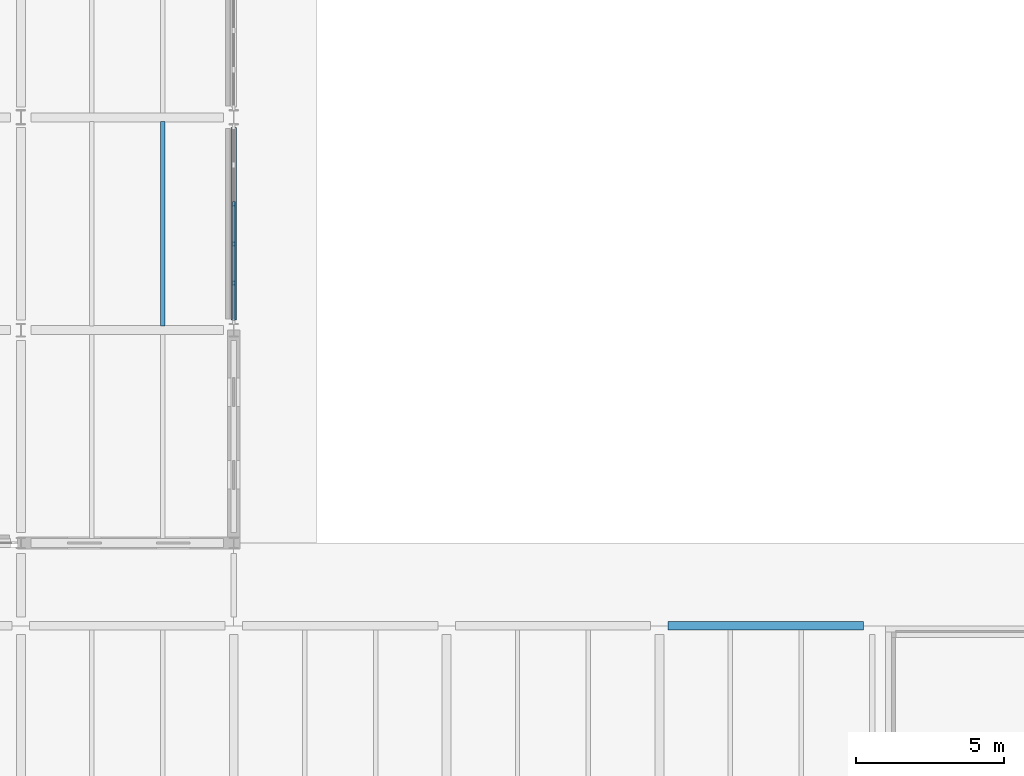
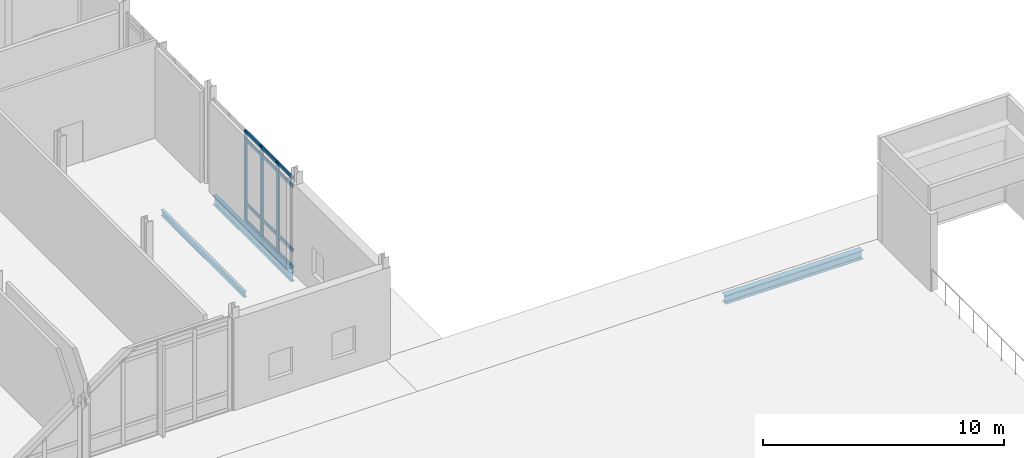
# One storey, part 35 of 89: 15 members, 3 beams, 1 element without a shape of its own.
"""IFC4 building model written with IfcOpenShell, lengths in metres."""

from ifc_helpers import new_model, si_unit, direction, frame, origin, origin_2d, place, context, subcontext, project, spatial, rectangle, i_section, extrude, material, layer, layer_set, material_profile, profile_set, type_object, element, aggregate, save


model = new_model("IFC4")

# Units and contexts
model_context = context("Model", 3, precision=1e-05, world=origin(), true_north=direction((0.0, 1.0)))
body_context = subcontext(model_context, "Body", "Model", "MODEL_VIEW")
ifc_project = project(units=[si_unit("LENGTHUNIT", "METRE"), si_unit("AREAUNIT", "SQUARE_METRE"), si_unit("VOLUMEUNIT", "CUBIC_METRE"), si_unit("PLANEANGLEUNIT", "RADIAN"), si_unit("MASSUNIT", "GRAM", prefix="KILO")], contexts=[model_context])

# Site, building, storey
site_placement = place(None, origin())
site = spatial("IfcSite", under=ifc_project, at=site_placement, CompositionType="ELEMENT")
building_placement = place(site_placement, origin())
building = spatial("IfcBuilding", under=site, at=building_placement, Name="Zarrinpeak Specialist Clinic", CompositionType="ELEMENT")
storey_placement = place(building_placement, origin())
storey = spatial("IfcBuildingStorey", under=building, at=storey_placement, Name="L00", CompositionType="ELEMENT", Elevation=0.0)

# Beams
ifc_material_1 = material(Name="Steel S355", Category="steel")
ifc_material_profile_1 = material_profile(ifc_material_1, i_section(OverallWidth=0.300048828125, OverallDepth=0.43994140625, WebThickness=0.011474609375, FlangeThickness=0.02099609375, FilletRadius=0.027099609375, at=origin_2d()), Name="HEA 450")
ifc_profile_set_1 = profile_set([ifc_material_profile_1], Name="Steel S355")
beam_type_1 = type_object("IfcBeamType", Name="BM-HEA450", PredefinedType="BEAM", material=ifc_profile_set_1)
beam_1_placement = place(storey_placement, frame((79.498046875, 79.199951171875, -0.43994140625), z_axis=(1.0, 0.0, 0.0), x_axis=(0.0, 1.0, 0.0)))
element("IfcBeam", 1, at=beam_1_placement, inside=storey, type_object=beam_type_1, Name="L00 Primary Floor Girder BM-L00-X0184", PredefinedType="BEAM", context=body_context, shape_type="SweptSolid", body=[
    extrude(i_section(OverallWidth=0.300048828125, OverallDepth=0.43994140625, WebThickness=0.011474609375, FlangeThickness=0.02099609375, FilletRadius=0.027099609375, at=origin_2d()), origin(), (0.0, 0.0, 1.0), 6.60400390625),
])
ifc_material_profile_2 = material_profile(ifc_material_1, i_section(OverallWidth=0.14990234375, OverallDepth=0.300048828125, WebThickness=0.007080078125, FlangeThickness=0.0107421875, FilletRadius=0.014892578125, at=origin_2d()), Name="IPE 300")
ifc_profile_set_2 = profile_set([ifc_material_profile_2], Name="Steel S355")
beam_type_2 = type_object("IfcBeamType", Name="BM-JST300", PredefinedType="JOIST", material=ifc_profile_set_2)
beam_2_placement = place(storey_placement, frame((62.39990234375, 89.347900390625, -0.39990234375), z_axis=(0.0, 1.0, 0.0), x_axis=(-1.0, 0.0, 0.0)))
element("IfcBeam", 2, at=beam_2_placement, inside=storey, type_object=beam_type_2, Name="L00 Composite Floor Joist JST-L00-0601", PredefinedType="JOIST", context=body_context, shape_type="SweptSolid", body=[
    extrude(i_section(OverallWidth=0.14990234375, OverallDepth=0.300048828125, WebThickness=0.007080078125, FlangeThickness=0.0107421875, FilletRadius=0.014892578125, at=origin_2d()), origin(), (0.0, 0.0, 1.0), 6.904052734375),
])
ifc_material_profile_3 = material_profile(ifc_material_1, i_section(OverallWidth=0.18994140625, OverallDepth=0.449951171875, WebThickness=0.009521484375, FlangeThickness=0.0146484375, FilletRadius=0.02099609375, at=origin_2d()), Name="IPE 450")
ifc_profile_set_3 = profile_set([ifc_material_profile_3], Name="Steel S355")
beam_type_3 = type_object("IfcBeamType", Name="BM-SP450", PredefinedType="SPANDREL", material=ifc_profile_set_3)
beam_3_placement = place(storey_placement, frame((64.800048828125, 89.548095703125, -0.47509765625), z_axis=(0.0, 1.0, 0.0), x_axis=(-1.0, 0.0, 0.0)))
element("IfcBeam", 3, at=beam_3_placement, inside=storey, type_object=beam_type_3, Name="L00 Perimeter Spandrel Beam BM-L00-Y0340", PredefinedType="SPANDREL", context=body_context, shape_type="SweptSolid", body=[
    extrude(i_section(OverallWidth=0.18994140625, OverallDepth=0.449951171875, WebThickness=0.009521484375, FlangeThickness=0.0146484375, FilletRadius=0.02099609375, at=origin_2d()), origin(), (0.0, 0.0, 1.0), 6.50390625),
])

# Curtain wall, members
ifc_material_2 = material(Name="Anodised Aluminium Alloy 6063-T6", Category="aluminium")
ifc_layer = layer(ifc_material_2, 0.1650390625)
ifc_layer_set = layer_set([ifc_layer], Name="Anodised Aluminium Alloy 6063-T6")
curtain_wall_type = type_object("IfcCurtainWallType", Name="CW-CLINIC", PredefinedType="NOTDEFINED", material=ifc_layer_set)
curtain_wall_placement = place(storey_placement, origin())
curtain_wall = element("IfcCurtainWall", 4, at=curtain_wall_placement, inside=storey, type_object=curtain_wall_type, Name="L00 V6 Unitised Curtain Wall CW-L00-V6-133", PredefinedType="NOTDEFINED")
ifc_material_profile_4 = material_profile(ifc_material_2, rectangle(XDim=0.074951171875, YDim=0.179931640625, at=origin_2d()), Name="ALU 75x180")
ifc_profile_set_4 = profile_set([ifc_material_profile_4], Name="Anodised Aluminium Alloy 6063-T6")
member_type_1 = type_object("IfcMemberType", Name="CWM-75", PredefinedType="MULLION", material=ifc_profile_set_4)
member_1_placement = place(storey_placement, frame((64.800048828125, 90.784912109375, 0.0), z_axis=(0.0, 0.0, 1.0), x_axis=(-1.0, 0.0, 0.0)))
member_1 = element("IfcMember", 5, at=member_1_placement, type_object=member_type_1, Name="CW-03 mullion 2", PredefinedType="MULLION", context=body_context, shape_type="SweptSolid", body=[
    extrude(rectangle(XDim=0.074951171875, YDim=0.179931640625, at=origin_2d()), origin(), (0.0, 0.0, 1.0), 4.594970703125),
])
member_2_placement = place(storey_placement, frame((64.800048828125, 92.1201171875, 0.0), z_axis=(0.0, 0.0, 1.0), x_axis=(-1.0, 0.0, 0.0)))
member_2 = element("IfcMember", 6, at=member_2_placement, type_object=member_type_1, Name="CW-03 mullion 3", PredefinedType="MULLION", context=body_context, shape_type="SweptSolid", body=[
    extrude(rectangle(XDim=0.074951171875, YDim=0.179931640625, at=origin_2d()), origin(), (0.0, 0.0, 1.0), 4.594970703125),
])
member_3_placement = place(storey_placement, frame((64.800048828125, 93.455078125, 0.0), z_axis=(0.0, 0.0, 1.0), x_axis=(-1.0, 0.0, 0.0)))
member_3 = element("IfcMember", 7, at=member_3_placement, type_object=member_type_1, Name="CW-03 mullion 4", PredefinedType="MULLION", context=body_context, shape_type="SweptSolid", body=[
    extrude(rectangle(XDim=0.074951171875, YDim=0.179931640625, at=origin_2d()), origin(), (0.0, 0.0, 1.0), 4.594970703125),
])
ifc_material_profile_5 = material_profile(ifc_material_2, rectangle(XDim=0.074951171875, YDim=0.159912109375, at=origin_2d()), Name="ALU 75x160")
ifc_profile_set_5 = profile_set([ifc_material_profile_5], Name="Anodised Aluminium Alloy 6063-T6")
member_type_2 = type_object("IfcMemberType", Name="CWT-75", PredefinedType="USERDEFINED", material=ifc_profile_set_5)
member_4_placement = place(storey_placement, frame((64.800048828125, 89.52490234375, 0.03759765625), z_axis=(0.0, 1.0, 0.0), x_axis=(-1.0, 0.0, 0.0)))
member_4 = element("IfcMember", 8, at=member_4_placement, type_object=member_type_2, Name="CW-03 transom 1.1", ObjectType="TRANSOM", PredefinedType="USERDEFINED", context=body_context, shape_type="SweptSolid", body=[
    extrude(rectangle(XDim=0.074951171875, YDim=0.159912109375, at=origin_2d()), origin(), (0.0, 0.0, 1.0), 1.22265625),
])
member_5_placement = place(storey_placement, frame((64.800048828125, 89.52490234375, 0.89990234375), z_axis=(0.0, 1.0, 0.0), x_axis=(-1.0, 0.0, 0.0)))
member_5 = element("IfcMember", 9, at=member_5_placement, type_object=member_type_2, Name="CW-03 transom 1.2", ObjectType="TRANSOM", PredefinedType="USERDEFINED", context=body_context, shape_type="SweptSolid", body=[
    extrude(rectangle(XDim=0.074951171875, YDim=0.159912109375, at=origin_2d()), origin(), (0.0, 0.0, 1.0), 1.22265625),
])
member_6_placement = place(storey_placement, frame((64.800048828125, 89.52490234375, 4.14501953125), z_axis=(0.0, 1.0, 0.0), x_axis=(-1.0, 0.0, 0.0)))
member_6 = element("IfcMember", 10, at=member_6_placement, type_object=member_type_2, Name="CW-03 transom 1.3", ObjectType="TRANSOM", PredefinedType="USERDEFINED", context=body_context, shape_type="SweptSolid", body=[
    extrude(rectangle(XDim=0.074951171875, YDim=0.159912109375, at=origin_2d()), origin(), (0.0, 0.0, 1.0), 1.22265625),
])
member_7_placement = place(storey_placement, frame((64.800048828125, 89.52490234375, 4.5576171875), z_axis=(0.0, 1.0, 0.0), x_axis=(-1.0, 0.0, 0.0)))
member_7 = element("IfcMember", 11, at=member_7_placement, type_object=member_type_2, Name="CW-03 transom 1.4", ObjectType="TRANSOM", PredefinedType="USERDEFINED", context=body_context, shape_type="SweptSolid", body=[
    extrude(rectangle(XDim=0.074951171875, YDim=0.159912109375, at=origin_2d()), origin(), (0.0, 0.0, 1.0), 1.22265625),
])
member_8_placement = place(storey_placement, frame((64.800048828125, 90.822509765625, 0.03759765625), z_axis=(0.0, 1.0, 0.0), x_axis=(-1.0, 0.0, 0.0)))
member_8 = element("IfcMember", 12, at=member_8_placement, type_object=member_type_2, Name="CW-03 transom 2.1", ObjectType="TRANSOM", PredefinedType="USERDEFINED", context=body_context, shape_type="SweptSolid", body=[
    extrude(rectangle(XDim=0.074951171875, YDim=0.159912109375, at=origin_2d()), origin(), (0.0, 0.0, 1.0), 1.260009765625),
])
member_9_placement = place(storey_placement, frame((64.800048828125, 90.822509765625, 0.89990234375), z_axis=(0.0, 1.0, 0.0), x_axis=(-1.0, 0.0, 0.0)))
member_9 = element("IfcMember", 13, at=member_9_placement, type_object=member_type_2, Name="CW-03 transom 2.2", ObjectType="TRANSOM", PredefinedType="USERDEFINED", context=body_context, shape_type="SweptSolid", body=[
    extrude(rectangle(XDim=0.074951171875, YDim=0.159912109375, at=origin_2d()), origin(), (0.0, 0.0, 1.0), 1.260009765625),
])
member_10_placement = place(storey_placement, frame((64.800048828125, 90.822509765625, 4.14501953125), z_axis=(0.0, 1.0, 0.0), x_axis=(-1.0, 0.0, 0.0)))
member_10 = element("IfcMember", 14, at=member_10_placement, type_object=member_type_2, Name="CW-03 transom 2.3", ObjectType="TRANSOM", PredefinedType="USERDEFINED", context=body_context, shape_type="SweptSolid", body=[
    extrude(rectangle(XDim=0.074951171875, YDim=0.159912109375, at=origin_2d()), origin(), (0.0, 0.0, 1.0), 1.260009765625),
])
member_11_placement = place(storey_placement, frame((64.800048828125, 90.822509765625, 4.5576171875), z_axis=(0.0, 1.0, 0.0), x_axis=(-1.0, 0.0, 0.0)))
member_11 = element("IfcMember", 15, at=member_11_placement, type_object=member_type_2, Name="CW-03 transom 2.4", ObjectType="TRANSOM", PredefinedType="USERDEFINED", context=body_context, shape_type="SweptSolid", body=[
    extrude(rectangle(XDim=0.074951171875, YDim=0.159912109375, at=origin_2d()), origin(), (0.0, 0.0, 1.0), 1.260009765625),
])
member_12_placement = place(storey_placement, frame((64.800048828125, 92.157470703125, 0.03759765625), z_axis=(0.0, 1.0, 0.0), x_axis=(-1.0, 0.0, 0.0)))
member_12 = element("IfcMember", 16, at=member_12_placement, type_object=member_type_2, Name="CW-03 transom 3.1", ObjectType="TRANSOM", PredefinedType="USERDEFINED", context=body_context, shape_type="SweptSolid", body=[
    extrude(rectangle(XDim=0.074951171875, YDim=0.159912109375, at=origin_2d()), origin(), (0.0, 0.0, 1.0), 1.260009765625),
])
member_13_placement = place(storey_placement, frame((64.800048828125, 92.157470703125, 0.89990234375), z_axis=(0.0, 1.0, 0.0), x_axis=(-1.0, 0.0, 0.0)))
member_13 = element("IfcMember", 17, at=member_13_placement, type_object=member_type_2, Name="CW-03 transom 3.2", ObjectType="TRANSOM", PredefinedType="USERDEFINED", context=body_context, shape_type="SweptSolid", body=[
    extrude(rectangle(XDim=0.074951171875, YDim=0.159912109375, at=origin_2d()), origin(), (0.0, 0.0, 1.0), 1.260009765625),
])
member_14_placement = place(storey_placement, frame((64.800048828125, 92.157470703125, 4.14501953125), z_axis=(0.0, 1.0, 0.0), x_axis=(-1.0, 0.0, 0.0)))
member_14 = element("IfcMember", 18, at=member_14_placement, type_object=member_type_2, Name="CW-03 transom 3.3", ObjectType="TRANSOM", PredefinedType="USERDEFINED", context=body_context, shape_type="SweptSolid", body=[
    extrude(rectangle(XDim=0.074951171875, YDim=0.159912109375, at=origin_2d()), origin(), (0.0, 0.0, 1.0), 1.260009765625),
])
member_15_placement = place(storey_placement, frame((64.800048828125, 92.157470703125, 4.5576171875), z_axis=(0.0, 1.0, 0.0), x_axis=(-1.0, 0.0, 0.0)))
member_15 = element("IfcMember", 19, at=member_15_placement, type_object=member_type_2, Name="CW-03 transom 3.4", ObjectType="TRANSOM", PredefinedType="USERDEFINED", context=body_context, shape_type="SweptSolid", body=[
    extrude(rectangle(XDim=0.074951171875, YDim=0.159912109375, at=origin_2d()), origin(), (0.0, 0.0, 1.0), 1.260009765625),
])
aggregate(curtain_wall, [member_1, member_2, member_3, member_4, member_5, member_6, member_7, member_8, member_9, member_10, member_11, member_12, member_13, member_14, member_15])

save(model, "model.ifc")
